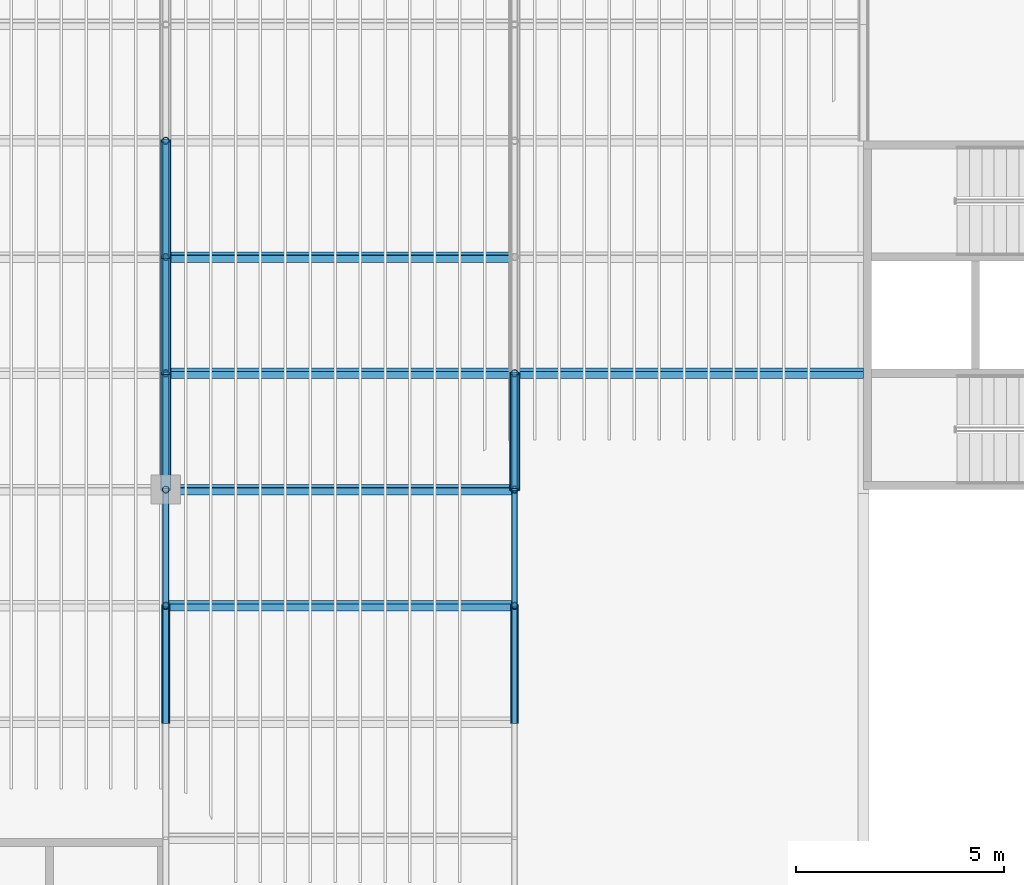
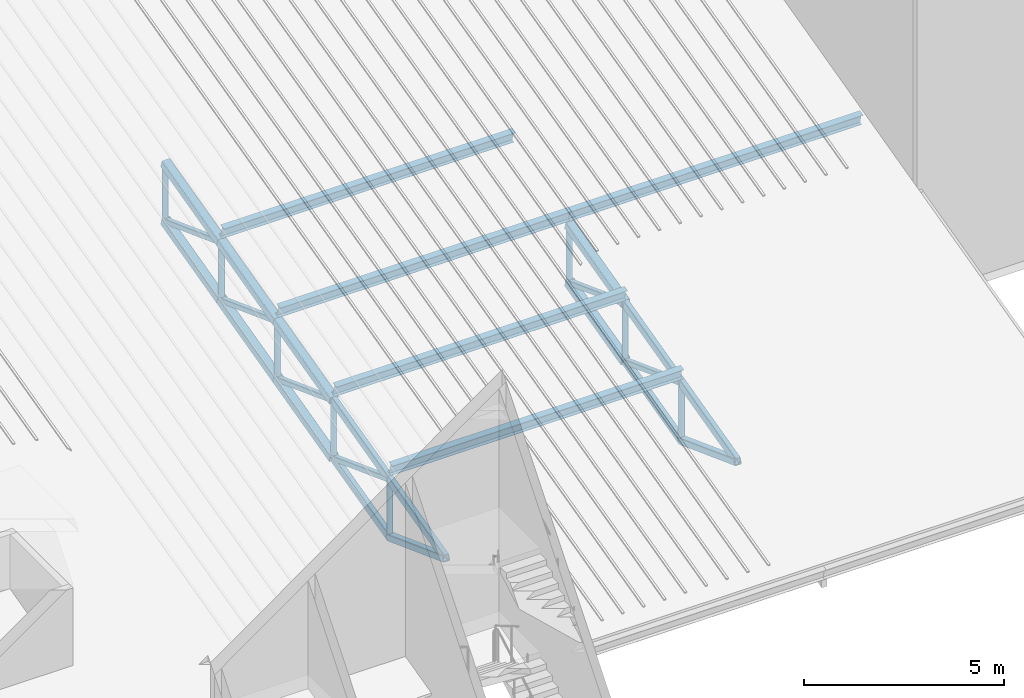
# One storey, part 7 of 114: 35 members.
"""IFC4 building model written with IfcOpenShell, lengths in metres."""

from ifc_helpers import new_model, si_unit, direction, frame, origin, origin_2d, place, context, subcontext, project, spatial, hollow_rectangle, hollow_circle, i_section, extrude, material, material_profile, profile_set, type_object, element, save


model = new_model("IFC4")

# Units and contexts
model_context = context("Model", 3, precision=1e-05, world=origin(), true_north=direction((0.0, 1.0)))
body_context = subcontext(model_context, "Body", "Model", "MODEL_VIEW")
ifc_project = project(units=[si_unit("LENGTHUNIT", "METRE"), si_unit("AREAUNIT", "SQUARE_METRE"), si_unit("VOLUMEUNIT", "CUBIC_METRE"), si_unit("PLANEANGLEUNIT", "RADIAN"), si_unit("MASSUNIT", "GRAM", prefix="KILO")], contexts=[model_context])

# Site, building, storey
site_placement = place(None, origin())
site = spatial("IfcSite", under=ifc_project, at=site_placement, CompositionType="ELEMENT")
building_placement = place(site_placement, origin())
building = spatial("IfcBuilding", under=site, at=building_placement, Name="Almond Square Museum", CompositionType="ELEMENT")
storey_placement = place(building_placement, frame((0.0, 0.0, 10.5)))
storey = spatial("IfcBuildingStorey", under=building, at=storey_placement, Name="L02", CompositionType="ELEMENT", Elevation=10.5)

# Members
ifc_material_1 = material(Name="Structural steel S355", Category="steel")
ifc_material_profile_1 = material_profile(ifc_material_1, i_section(OverallWidth=0.1708984375, OverallDepth=0.35595703125, WebThickness=0.00732421875, FlangeThickness=0.01171875, at=origin_2d()))
ifc_profile_set_1 = profile_set([ifc_material_profile_1], Name="Structural steel S355")
member_type_1 = type_object("IfcMemberType", Name="Steel purlin W360x51", PredefinedType="PURLIN", material=ifc_profile_set_1)
for number, where, z_axis, x_axis, name in (
    (1, (22.800048828125, 81.199951171875, 2.329833984375), (1.0, 0.0, 0.0), (0.0, 0.969459905022, 0.245249857402), "Auditorium purlin 4.3"),
    (2, (22.800048828125, 84.0, 3.0380859375), (1.0, 0.0, 0.0), (0.0, 0.969459905022, 0.245249857402), "Auditorium purlin 5.3"),
    (3, (22.800048828125, 86.800048828125, 3.74658203125), (1.0, 0.0, 0.0), (0.0, 0.969459905022, 0.245249857402), "Auditorium purlin 6.3"),
):
    element("IfcMember", number, at=place(storey_placement, frame(where, z_axis=z_axis, x_axis=x_axis)), inside=storey, type_object=member_type_1, Name=name, PredefinedType="PURLIN", context=body_context, shape_type="SweptSolid", body=[
        extrude(i_section(OverallWidth=0.1708984375, OverallDepth=0.35595703125, WebThickness=0.00732421875, FlangeThickness=0.01171875, at=origin_2d()), origin(), (0.0, 0.0, 1.0), 8.39990234375),
    ])
member_1_placement = place(storey_placement, frame((31.199951171875, 86.800048828125, 3.74658203125), z_axis=(1.0, 0.0, 0.0), x_axis=(0.0, 0.969459905022, 0.245249857402)))
element("IfcMember", 4, at=member_1_placement, inside=storey, type_object=member_type_1, Name="Auditorium purlin 6.4", PredefinedType="PURLIN", context=body_context, shape_type="SweptSolid", body=[
    extrude(i_section(OverallWidth=0.1708984375, OverallDepth=0.35595703125, WebThickness=0.00732421875, FlangeThickness=0.01171875, at=origin_2d()), origin(), (0.0, 0.0, 1.0), 8.400146484375),
])
member_2_placement = place(storey_placement, frame((22.800048828125, 89.60009765625, 4.454833984375), z_axis=(1.0, 0.0, 0.0), x_axis=(0.0, 0.969459905022, 0.245249857402)))
element("IfcMember", 5, at=member_2_placement, inside=storey, type_object=member_type_1, Name="Auditorium purlin 7.3", PredefinedType="PURLIN", context=body_context, shape_type="SweptSolid", body=[
    extrude(i_section(OverallWidth=0.1708984375, OverallDepth=0.35595703125, WebThickness=0.00732421875, FlangeThickness=0.01171875, at=origin_2d()), origin(), (0.0, 0.0, 1.0), 8.39990234375),
])
ifc_material_2 = material(Name="Structural steel S355", Category="steel")
ifc_material_profile_2 = material_profile(ifc_material_2, hollow_rectangle(XDim=0.14990234375, YDim=0.25, WallThickness=0.010009765625, InnerFilletRadius=0.014892578125, OuterFilletRadius=0.02490234375, at=origin_2d()))
ifc_profile_set_2 = profile_set([ifc_material_profile_2], Name="Structural steel S355")
member_type_2 = type_object("IfcMemberType", Name="Truss chord RHS 250x150x10", PredefinedType="CHORD", material=ifc_profile_set_2)
for number, where, z_axis, x_axis, name in (
    (6, (22.800048828125, 78.39990234375, 1.31298828125), (0.0, 0.969467521681, 0.245219747179), (-1.0, 0.0, 0.0), "TR-14 top chord 2"),
    (7, (22.800048828125, 81.199951171875, 2.021240234375), (0.0, 0.969467521681, 0.245219747179), (-1.0, 0.0, 0.0), "TR-14 top chord 3"),
    (8, (22.800048828125, 81.199951171875, 0.271240234375), (0.0, 0.969467521681, 0.245219747179), (-1.0, 0.0, 0.0), "TR-14 bottom chord 3"),
    (9, (31.199951171875, 78.39990234375, 1.31298828125), (0.0, 0.969467521681, 0.245219747179), (-1.0, 0.0, 0.0), "TR-15 top chord 2"),
    (10, (31.199951171875, 81.199951171875, 2.021240234375), (0.0, 0.969467521681, 0.245219747179), (-1.0, 0.0, 0.0), "TR-15 top chord 3"),
    (11, (31.199951171875, 81.199951171875, 0.271240234375), (0.0, 0.969467521681, 0.245219747179), (-1.0, 0.0, 0.0), "TR-15 bottom chord 3"),
):
    element("IfcMember", number, at=place(storey_placement, frame(where, z_axis=z_axis, x_axis=x_axis)), inside=storey, type_object=member_type_2, Name=name, PredefinedType="CHORD", context=body_context, shape_type="SweptSolid", body=[
        extrude(hollow_rectangle(XDim=0.14990234375, YDim=0.25, WallThickness=0.010009765625, InnerFilletRadius=0.014892578125, OuterFilletRadius=0.02490234375, at=origin_2d()), origin(), (0.0, 0.0, 1.0), 2.88818359375),
    ])
ifc_material_3 = material(Name="Structural steel S355", Category="steel")
ifc_material_profile_3 = material_profile(ifc_material_3, hollow_rectangle(XDim=0.25, YDim=0.25, WallThickness=0.012451171875, InnerFilletRadius=0.02490234375, OuterFilletRadius=0.03759765625, at=origin_2d()))
ifc_profile_set_3 = profile_set([ifc_material_profile_3], Name="Structural steel S355")
member_type_3 = type_object("IfcMemberType", Name="Truss chord SHS 250x250x12.5", PredefinedType="CHORD", material=ifc_profile_set_3)
for number, where, z_axis, x_axis, name in (
    (12, (22.800048828125, 84.0, 2.7294921875), (0.0, 0.969447423453, 0.245299191112), (-1.0, 0.0, 0.0), "TR-14 top chord 4"),
    (13, (22.800048828125, 84.0, 0.9794921875), (0.0, 0.969447423453, 0.245299191112), (-1.0, 0.0, 0.0), "TR-14 bottom chord 4"),
    (14, (22.800048828125, 86.800048828125, 3.43798828125), (0.0, 0.969467521681, 0.245219747179), (-1.0, 0.0, 0.0), "TR-14 top chord 5"),
    (15, (22.800048828125, 86.800048828125, 1.68798828125), (0.0, 0.969467521681, 0.245219747179), (-1.0, 0.0, 0.0), "TR-14 bottom chord 5"),
):
    element("IfcMember", number, at=place(storey_placement, frame(where, z_axis=z_axis, x_axis=x_axis)), inside=storey, type_object=member_type_3, Name=name, PredefinedType="CHORD", context=body_context, shape_type="SweptSolid", body=[
        extrude(hollow_rectangle(XDim=0.25, YDim=0.25, WallThickness=0.012451171875, InnerFilletRadius=0.02490234375, OuterFilletRadius=0.03759765625, at=origin_2d()), origin(), (0.0, 0.0, 1.0), 2.88818359375),
    ])
for number, where, z_axis, x_axis, name in (
    (16, (22.800048828125, 89.60009765625, 4.146240234375), (0.0, 0.969462438073, 0.245239844162), (-1.0, 0.0, 0.0), "TR-14 top chord 6"),
    (17, (22.800048828125, 89.60009765625, 2.396240234375), (0.0, 0.969462438073, 0.245239844162), (-1.0, 0.0, 0.0), "TR-14 bottom chord 6"),
):
    element("IfcMember", number, at=place(storey_placement, frame(where, z_axis=z_axis, x_axis=x_axis)), inside=storey, type_object=member_type_3, Name=name, PredefinedType="CHORD", context=body_context, shape_type="SweptSolid", body=[
        extrude(hollow_rectangle(XDim=0.25, YDim=0.25, WallThickness=0.012451171875, InnerFilletRadius=0.02490234375, OuterFilletRadius=0.03759765625, at=origin_2d()), origin(), (0.0, 0.0, 1.0), 2.887939453125),
    ])
for number, where, z_axis, x_axis, name in (
    (18, (31.199951171875, 84.0, 2.7294921875), (0.0, 0.969447423453, 0.245299191112), (-1.0, 0.0, 0.0), "TR-15 top chord 4"),
    (19, (31.199951171875, 84.0, 0.9794921875), (0.0, 0.969447423453, 0.245299191112), (-1.0, 0.0, 0.0), "TR-15 bottom chord 4"),
):
    element("IfcMember", number, at=place(storey_placement, frame(where, z_axis=z_axis, x_axis=x_axis)), inside=storey, type_object=member_type_3, Name=name, PredefinedType="CHORD", context=body_context, shape_type="SweptSolid", body=[
        extrude(hollow_rectangle(XDim=0.25, YDim=0.25, WallThickness=0.012451171875, InnerFilletRadius=0.02490234375, OuterFilletRadius=0.03759765625, at=origin_2d()), origin(), (0.0, 0.0, 1.0), 2.88818359375),
    ])
ifc_material_4 = material(Name="Structural steel S355", Category="steel")
ifc_material_profile_4 = material_profile(ifc_material_4, hollow_rectangle(XDim=0.14990234375, YDim=0.14990234375, WallThickness=0.008056640625, InnerFilletRadius=0.011962890625, OuterFilletRadius=0.02001953125, at=origin_2d()))
ifc_profile_set_4 = profile_set([ifc_material_profile_4], Name="Structural steel S355")
member_type_4 = type_object("IfcMemberType", Name="Truss diagonal SHS 150x150x8", PredefinedType="BRACE", material=ifc_profile_set_4)
for number, where, z_axis, x_axis, name in (
    (20, (22.800048828125, 81.199951171875, 2.021240234375), (0.0, 0.937236136552, -0.348695317348), (-1.0, 0.0, 0.0), "TR-14 diagonal 3"),
    (21, (22.800048828125, 84.0, 2.7294921875), (0.0, 0.937262841165, -0.348623531294), (-1.0, 0.0, 0.0), "TR-14 diagonal 4"),
    (22, (22.800048828125, 86.800048828125, 3.43798828125), (0.0, 0.937236136552, -0.348695317348), (-1.0, 0.0, 0.0), "TR-14 diagonal 5"),
):
    element("IfcMember", number, at=place(storey_placement, frame(where, z_axis=z_axis, x_axis=x_axis)), inside=storey, type_object=member_type_4, Name=name, PredefinedType="BRACE", context=body_context, shape_type="SweptSolid", body=[
        extrude(hollow_rectangle(XDim=0.14990234375, YDim=0.14990234375, WallThickness=0.008056640625, InnerFilletRadius=0.011962890625, OuterFilletRadius=0.02001953125, at=origin_2d()), origin(), (0.0, 0.0, 1.0), 2.987548828125),
    ])
member_3_placement = place(storey_placement, frame((22.800048828125, 89.60009765625, 4.146240234375), z_axis=(0.0, 0.937226199316, -0.348722025853), x_axis=(-1.0, 0.0, 0.0)))
element("IfcMember", 23, at=member_3_placement, inside=storey, type_object=member_type_4, Name="TR-14 diagonal 6", PredefinedType="BRACE", context=body_context, shape_type="SweptSolid", body=[
    extrude(hollow_rectangle(XDim=0.14990234375, YDim=0.14990234375, WallThickness=0.008056640625, InnerFilletRadius=0.011962890625, OuterFilletRadius=0.02001953125, at=origin_2d()), origin(), (0.0, 0.0, 1.0), 2.9873046875),
])
for number, where, z_axis, x_axis, name in (
    (24, (31.199951171875, 81.199951171875, 2.021240234375), (0.0, 0.937236136552, -0.348695317348), (-1.0, 0.0, 0.0), "TR-15 diagonal 3"),
    (25, (31.199951171875, 84.0, 2.7294921875), (0.0, 0.937262841165, -0.348623531294), (-1.0, 0.0, 0.0), "TR-15 diagonal 4"),
):
    element("IfcMember", number, at=place(storey_placement, frame(where, z_axis=z_axis, x_axis=x_axis)), inside=storey, type_object=member_type_4, Name=name, PredefinedType="BRACE", context=body_context, shape_type="SweptSolid", body=[
        extrude(hollow_rectangle(XDim=0.14990234375, YDim=0.14990234375, WallThickness=0.008056640625, InnerFilletRadius=0.011962890625, OuterFilletRadius=0.02001953125, at=origin_2d()), origin(), (0.0, 0.0, 1.0), 2.987548828125),
    ])
ifc_material_5 = material(Name="Structural steel S355", Category="steel")
ifc_material_profile_5 = material_profile(ifc_material_5, hollow_rectangle(XDim=0.199951171875, YDim=0.199951171875, WallThickness=0.010009765625, InnerFilletRadius=0.014892578125, OuterFilletRadius=0.02490234375, at=origin_2d()))
ifc_profile_set_5 = profile_set([ifc_material_profile_5], Name="Structural steel S355")
member_type_5 = type_object("IfcMemberType", Name="Truss diagonal SHS 200x200x10", PredefinedType="BRACE", material=ifc_profile_set_5)
for number, where, z_axis, x_axis, name in (
    (26, (22.800048828125, 78.39990234375, 1.31298828125), (0.0, 0.937236136552, -0.348695317348), (-1.0, 0.0, 0.0), "TR-14 diagonal 2"),
    (27, (31.199951171875, 78.39990234375, 1.31298828125), (0.0, 0.937236136552, -0.348695317348), (-1.0, 0.0, 0.0), "TR-15 diagonal 2"),
):
    element("IfcMember", number, at=place(storey_placement, frame(where, z_axis=z_axis, x_axis=x_axis)), inside=storey, type_object=member_type_5, Name=name, PredefinedType="BRACE", context=body_context, shape_type="SweptSolid", body=[
        extrude(hollow_rectangle(XDim=0.199951171875, YDim=0.199951171875, WallThickness=0.010009765625, InnerFilletRadius=0.014892578125, OuterFilletRadius=0.02490234375, at=origin_2d()), origin(), (0.0, 0.0, 1.0), 2.987548828125),
    ])
ifc_material_6 = material(Name="Structural steel S355", Category="steel")
ifc_material_profile_6 = material_profile(ifc_material_6, hollow_circle(Radius=0.084228515625, WallThickness=0.008056640625, at=origin_2d()))
ifc_profile_set_6 = profile_set([ifc_material_profile_6], Name="Structural steel S355")
member_type_6 = type_object("IfcMemberType", Name="Truss post CHS 168.3x8", PredefinedType="POST", material=ifc_profile_set_6)
for number, where, z_axis, x_axis, name in (
    (28, (22.800048828125, 81.199951171875, 0.271240234375), (0.0, 0.0, 1.0), (1.0, 0.0, 0.0), "TR-14 post 3"),
    (29, (22.800048828125, 84.0, 0.9794921875), (0.0, 0.0, 1.0), (1.0, 0.0, 0.0), "TR-14 post 4"),
    (30, (22.800048828125, 86.800048828125, 1.68798828125), (0.0, 0.0, 1.0), (1.0, 0.0, 0.0), "TR-14 post 5"),
    (31, (22.800048828125, 89.60009765625, 2.396240234375), (0.0, 0.0, 1.0), (1.0, 0.0, 0.0), "TR-14 post 6"),
    (32, (22.800048828125, 92.39990234375, 3.1044921875), (0.0, 0.0, 1.0), (1.0, 0.0, 0.0), "TR-14 post 7"),
    (33, (31.199951171875, 81.199951171875, 0.271240234375), (0.0, 0.0, 1.0), (1.0, 0.0, 0.0), "TR-15 post 3"),
    (34, (31.199951171875, 84.0, 0.9794921875), (0.0, 0.0, 1.0), (1.0, 0.0, 0.0), "TR-15 post 4"),
    (35, (31.199951171875, 86.800048828125, 1.68798828125), (0.0, 0.0, 1.0), (1.0, 0.0, 0.0), "TR-15 post 5"),
):
    element("IfcMember", number, at=place(storey_placement, frame(where, z_axis=z_axis, x_axis=x_axis)), inside=storey, type_object=member_type_6, Name=name, PredefinedType="POST", context=body_context, shape_type="SweptSolid", body=[
        extrude(hollow_circle(Radius=0.084228515625, WallThickness=0.008056640625, at=origin_2d()), origin(), (0.0, 0.0, 1.0), 1.75),
    ])

save(model, "model.ifc")
